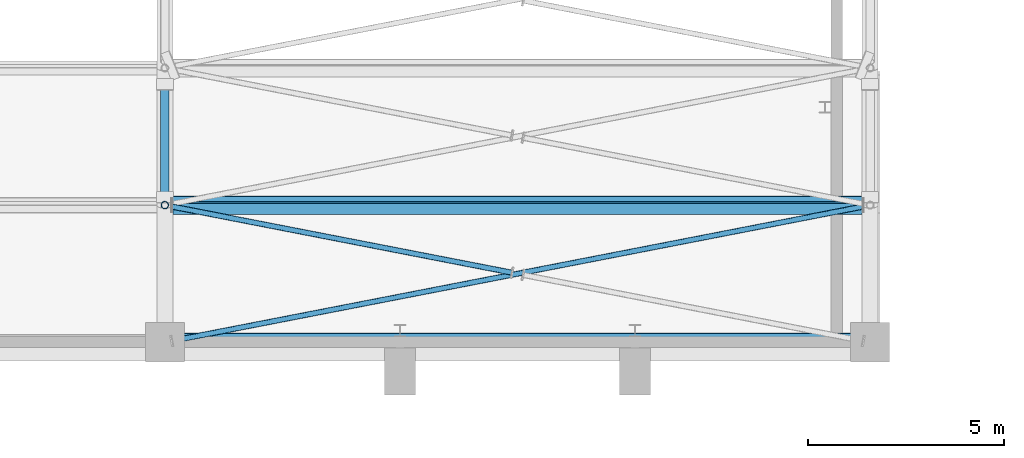
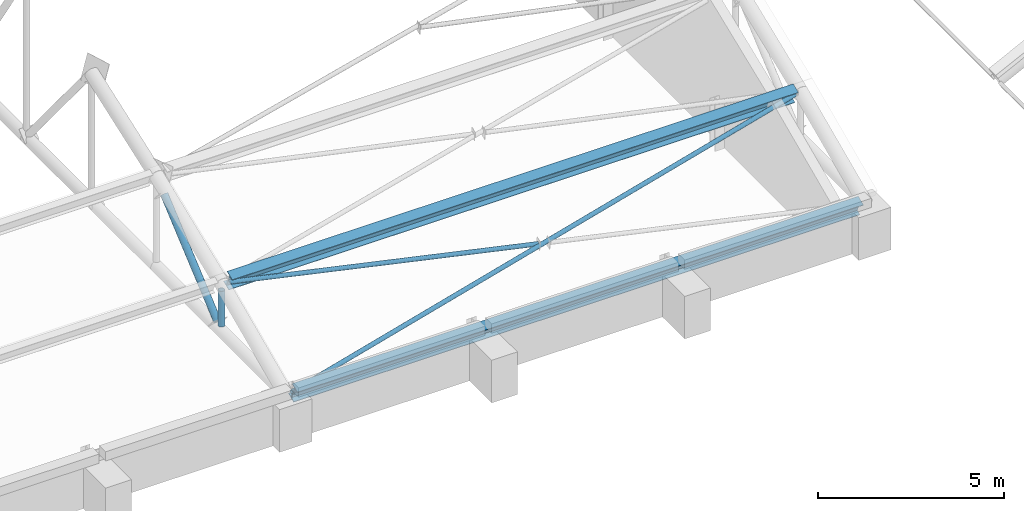
# One storey, part 44 of 196: 6 members.
"""IFC4 building model written with IfcOpenShell, lengths in metres."""

from ifc_helpers import new_model, si_unit, direction, frame, origin, origin_2d, place, context, subcontext, project, spatial, hollow_circle, i_section, extrude, material, material_profile, profile_set, type_object, element, save


model = new_model("IFC4")

# Units and contexts
model_context = context("Model", 3, precision=1e-05, world=origin(), true_north=direction((0.0, 1.0)))
body_context = subcontext(model_context, "Body", "Model", "MODEL_VIEW")
ifc_project = project(units=[si_unit("LENGTHUNIT", "METRE"), si_unit("AREAUNIT", "SQUARE_METRE"), si_unit("VOLUMEUNIT", "CUBIC_METRE"), si_unit("PLANEANGLEUNIT", "RADIAN"), si_unit("MASSUNIT", "GRAM", prefix="KILO")], contexts=[model_context])

# Site, building, storey
site_placement = place(None, origin())
site = spatial("IfcSite", under=ifc_project, at=site_placement, CompositionType="ELEMENT")
building_placement = place(site_placement, origin())
building = spatial("IfcBuilding", under=site, at=building_placement, Name="Okhra Congress Centre", CompositionType="ELEMENT")
storey_placement = place(building_placement, frame((0.0, 0.0, 12.0)))
storey = spatial("IfcBuildingStorey", under=building, at=storey_placement, Name="L02", CompositionType="ELEMENT", Elevation=12.0)

# Members
ifc_material_1 = material(Name="Steel S355J2H", Category="steel")
ifc_material_profile_1 = material_profile(ifc_material_1, hollow_circle(Radius=0.06982421875, WallThickness=0.00634765625, at=origin_2d()), Name="CHS 139.7x6.3")
ifc_profile_set_1 = profile_set([ifc_material_profile_1], Name="Steel S355J2H")
member_type_1 = type_object("IfcMemberType", Name="CHS 139.7x6.3", PredefinedType="BRACE", material=ifc_profile_set_1)
member_1_placement = place(storey_placement, frame((136.185546875, 132.0361328125, 1.416259765625), z_axis=(0.978053112716, 0.190170974165, 0.085129955315), x_axis=(-0.190863837306, 0.981616521667, 0.0)))
element("IfcMember", 1, at=member_1_placement, inside=storey, type_object=member_type_1, Name="EH.MEM.L02.XB7-01-1", PredefinedType="BRACE", context=body_context, shape_type="SweptSolid", body=[
    extrude(hollow_circle(Radius=0.06982421875, WallThickness=0.00634765625, at=origin_2d()), origin(), (0.0, 0.0, 1.0), 18.0244140625),
])
member_2_placement = place(storey_placement, frame((144.85009765625, 133.779052734375, 2.196533203125), z_axis=(-0.978051270157, 0.190181228948, 0.085128215653), x_axis=(-0.190874100976, -0.98161452596, 0.0)))
element("IfcMember", 2, at=member_2_placement, inside=storey, type_object=member_type_1, Name="EH.MEM.L02.XB7-01-2b", PredefinedType="BRACE", context=body_context, shape_type="SweptSolid", body=[
    extrude(hollow_circle(Radius=0.06982421875, WallThickness=0.00634765625, at=origin_2d()), origin(), (0.0, 0.0, 1.0), 8.85888671875),
])
ifc_material_profile_2 = material_profile(ifc_material_1, hollow_circle(Radius=0.096923828125, WallThickness=0.012451171875, at=origin_2d()), Name="CHS 193.7x12.5")
ifc_profile_set_2 = profile_set([ifc_material_profile_2], Name="Steel S355J2H")
member_type_2 = type_object("IfcMemberType", Name="CHS 193.7x12.5", PredefinedType="POST", material=ifc_profile_set_2)
member_3_placement = place(storey_placement, frame((136.0, 135.5, 1.577880859375), z_axis=(0.0, 0.0, 1.0), x_axis=(1.0, 0.0, 0.0)))
element("IfcMember", 3, at=member_3_placement, inside=storey, type_object=member_type_2, Name="EH.MEM.L02.T7-VER-01", PredefinedType="POST", context=body_context, shape_type="SweptSolid", body=[
    extrude(hollow_circle(Radius=0.096923828125, WallThickness=0.012451171875, at=origin_2d()), origin(), (0.0, 0.0, 1.0), 1.168212890625),
])
ifc_material_profile_3 = material_profile(ifc_material_1, hollow_circle(Radius=0.109619140625, WallThickness=0.012451171875, at=origin_2d()), Name="CHS 219.1x12.5")
ifc_profile_set_3 = profile_set([ifc_material_profile_3], Name="Steel S355J2H")
member_type_3 = type_object("IfcMemberType", Name="CHS 219.1x12.5", PredefinedType="BRACE", material=ifc_profile_set_3)
member_4_placement = place(storey_placement, frame((136.0, 138.57421875, 4.01220703125), z_axis=(0.0, -0.76205947483, -0.647507032257), x_axis=(1.0, 0.0, 0.0)))
element("IfcMember", 4, at=member_4_placement, inside=storey, type_object=member_type_3, Name="EH.MEM.L02.T7-DIA-01", PredefinedType="BRACE", context=body_context, shape_type="SweptSolid", body=[
    extrude(hollow_circle(Radius=0.109619140625, WallThickness=0.012451171875, at=origin_2d()), origin(), (0.0, 0.0, 1.0), 3.759521484375),
])
ifc_material_2 = material(Name="Steel S355J2", Category="steel")
ifc_material_profile_4 = material_profile(ifc_material_2, i_section(OverallWidth=0.300048828125, OverallDepth=0.5, WebThickness=0.014404296875, FlangeThickness=0.028076171875, at=origin_2d()), Name="HE 500 B")
ifc_profile_set_4 = profile_set([ifc_material_profile_4], Name="Steel S355J2")
member_type_4 = type_object("IfcMemberType", Name="HE 500 B", PredefinedType="PURLIN", material=ifc_profile_set_4)
for number, where, z_axis, x_axis, name in (
    (5, (136.203125, 132.0, 1.39990234375), (1.0, 0.0, 0.0), (0.0, 0.912721046606, 0.40858327313), "EH.MEM.L02.PU7-01"),
    (6, (136.203125, 135.5, 2.966796875), (1.0, 0.0, 0.0), (0.0, 0.920437204489, 0.390890461118), "EH.MEM.L02.PU7-02"),
):
    element("IfcMember", number, at=place(storey_placement, frame(where, z_axis=z_axis, x_axis=x_axis)), inside=storey, type_object=member_type_4, Name=name, PredefinedType="PURLIN", context=body_context, shape_type="SweptSolid", body=[
        extrude(i_section(OverallWidth=0.300048828125, OverallDepth=0.5, WebThickness=0.014404296875, FlangeThickness=0.028076171875, at=origin_2d()), origin(), (0.0, 0.0, 1.0), 17.59375),
    ])

save(model, "model.ifc")
